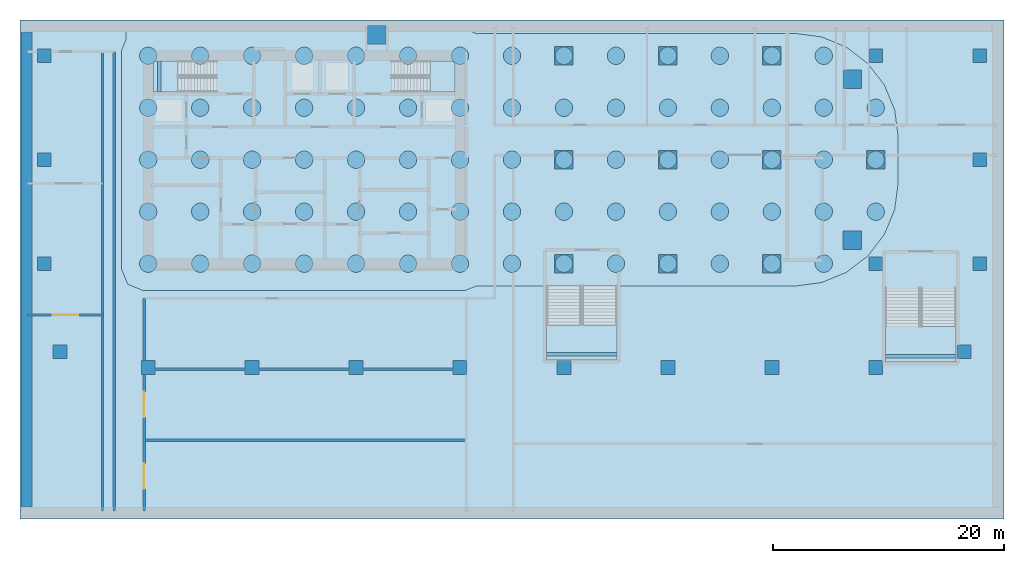
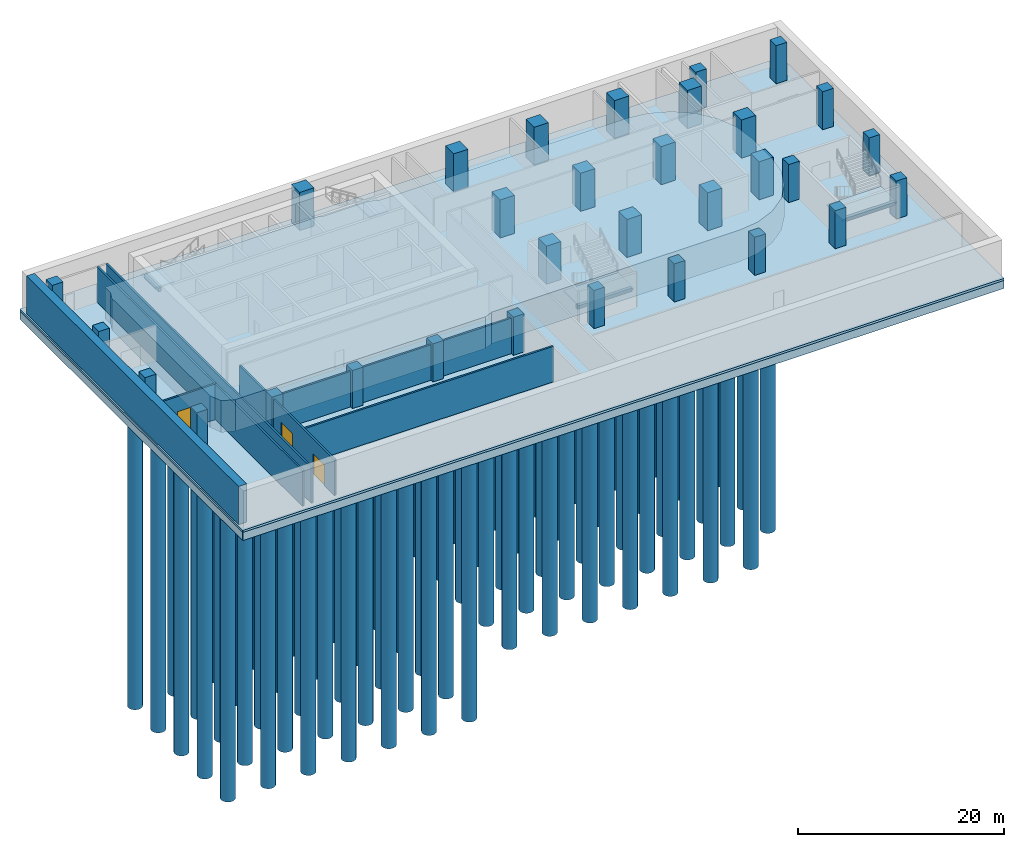
# One storey, part 1 of 13: 73 piles, 31 columns, 7 walls, 5 slabs, 3 beams, 3 doors, 2 footings, 3 openings, 4 elements without a shape of their own.
"""IFC4 building model written with IfcOpenShell, lengths in metres."""

from ifc_helpers import new_model, si_unit, direction, frame, frame_2d, origin, origin_2d, place, context, subcontext, project, spatial, polyline, rectangle, circle, outline, extrude, material, layer, layer_set, material_profile, profile_set, type_object, element, fill, aggregate, save


model = new_model("IFC4")

# Units and contexts
model_context = context("Model", 3, precision=1e-05, world=origin(), true_north=direction((0.0, 1.0)))
body_context = subcontext(model_context, "Body", "Model", "MODEL_VIEW")
ifc_project = project(units=[si_unit("LENGTHUNIT", "METRE"), si_unit("AREAUNIT", "SQUARE_METRE"), si_unit("VOLUMEUNIT", "CUBIC_METRE"), si_unit("PLANEANGLEUNIT", "RADIAN"), si_unit("MASSUNIT", "GRAM", prefix="KILO")], contexts=[model_context])

# Site, building, storey
site_placement = place(None, origin())
site = spatial("IfcSite", under=ifc_project, at=site_placement, CompositionType="ELEMENT")
building_placement = place(site_placement, origin())
building = spatial("IfcBuilding", under=site, at=building_placement, Name="Ogive Portal Towers", CompositionType="ELEMENT")
storey_placement = place(building_placement, frame((0.0, 0.0, -9.0)))
storey = spatial("IfcBuildingStorey", under=building, at=storey_placement, Name="B2", CompositionType="ELEMENT", Elevation=-9.0)

# Piles
ifc_material_1 = material(Name="Concrete C40/50", Category="concrete")
ifc_material_profile_1 = material_profile(ifc_material_1, circle(Radius=0.75, at=origin_2d()), Name="PILE D1500")
ifc_profile_set_1 = profile_set([ifc_material_profile_1], Name="Concrete C40/50")
pile_type = type_object("IfcPileType", Name="PILE D1500", PredefinedType="BORED", material=ifc_profile_set_1)
for number, where, z_axis, x_axis, name in (
    (1, (31.5, 21.5, -3.89990234375), (0.0, 0.0, -1.0), (1.0, 0.0, 0.0), "Bored pile A1001"),
    (2, (36.0, 21.5, -3.89990234375), (0.0, 0.0, -1.0), (1.0, 0.0, 0.0), "Bored pile A1002"),
    (3, (40.5, 21.5, -3.89990234375), (0.0, 0.0, -1.0), (1.0, 0.0, 0.0), "Bored pile A1003"),
    (4, (45.0, 21.5, -3.89990234375), (0.0, 0.0, -1.0), (1.0, 0.0, 0.0), "Bored pile A1004"),
    (5, (49.5, 21.5, -3.89990234375), (0.0, 0.0, -1.0), (1.0, 0.0, 0.0), "Bored pile A1005"),
    (6, (54.0, 21.5, -3.89990234375), (0.0, 0.0, -1.0), (1.0, 0.0, 0.0), "Bored pile A1006"),
    (7, (58.5, 21.5, -3.89990234375), (0.0, 0.0, -1.0), (1.0, 0.0, 0.0), "Bored pile A1007"),
):
    element("IfcPile", number, at=place(storey_placement, frame(where, z_axis=z_axis, x_axis=x_axis)), inside=storey, type_object=pile_type, Name=name, PredefinedType="BORED", context=body_context, shape_type="SweptSolid", body=[
        extrude(circle(Radius=0.75, at=origin_2d()), origin(), (0.0, 0.0, 1.0), 45.0),
    ])
for number, where, z_axis, x_axis, name in (
    (8, (63.0, 21.5, -3.89990234375), (0.0, 0.0, -1.0), (1.0, 0.0, 0.0), "Bored pile A1008"),
    (9, (67.5, 21.5, -3.89990234375), (0.0, 0.0, -1.0), (1.0, 0.0, 0.0), "Bored pile A1009"),
    (10, (72.0, 21.5, -3.89990234375), (0.0, 0.0, -1.0), (1.0, 0.0, 0.0), "Bored pile A1010"),
    (11, (76.5, 21.5, -3.89990234375), (0.0, 0.0, -1.0), (1.0, 0.0, 0.0), "Bored pile A1011"),
    (12, (81.0, 21.5, -3.89990234375), (0.0, 0.0, -1.0), (1.0, 0.0, 0.0), "Bored pile A1012"),
    (13, (85.5, 21.5, -3.89990234375), (0.0, 0.0, -1.0), (1.0, 0.0, 0.0), "Bored pile A1013"),
    (14, (90.0, 21.5, -3.89990234375), (0.0, 0.0, -1.0), (1.0, 0.0, 0.0), "Bored pile A1014"),
):
    element("IfcPile", number, at=place(storey_placement, frame(where, z_axis=z_axis, x_axis=x_axis)), inside=storey, type_object=pile_type, Name=name, PredefinedType="BORED", context=body_context, shape_type="SweptSolid", body=[
        extrude(circle(Radius=0.75, at=origin_2d()), origin(), (0.0, 0.0, 1.0), 38.0),
    ])
for number, where, z_axis, x_axis, name in (
    (15, (31.5, 26.0, -3.89990234375), (0.0, 0.0, -1.0), (1.0, 0.0, 0.0), "Bored pile A1015"),
    (16, (36.0, 26.0, -3.89990234375), (0.0, 0.0, -1.0), (1.0, 0.0, 0.0), "Bored pile A1016"),
    (17, (40.5, 26.0, -3.89990234375), (0.0, 0.0, -1.0), (1.0, 0.0, 0.0), "Bored pile A1017"),
    (18, (45.0, 26.0, -3.89990234375), (0.0, 0.0, -1.0), (1.0, 0.0, 0.0), "Bored pile A1018"),
    (19, (49.5, 26.0, -3.89990234375), (0.0, 0.0, -1.0), (1.0, 0.0, 0.0), "Bored pile A1019"),
    (20, (54.0, 26.0, -3.89990234375), (0.0, 0.0, -1.0), (1.0, 0.0, 0.0), "Bored pile A1020"),
    (21, (58.5, 26.0, -3.89990234375), (0.0, 0.0, -1.0), (1.0, 0.0, 0.0), "Bored pile A1021"),
):
    element("IfcPile", number, at=place(storey_placement, frame(where, z_axis=z_axis, x_axis=x_axis)), inside=storey, type_object=pile_type, Name=name, PredefinedType="BORED", context=body_context, shape_type="SweptSolid", body=[
        extrude(circle(Radius=0.75, at=origin_2d()), origin(), (0.0, 0.0, 1.0), 45.0),
    ])
for number, where, z_axis, x_axis, name in (
    (22, (63.0, 26.0, -3.89990234375), (0.0, 0.0, -1.0), (1.0, 0.0, 0.0), "Bored pile A1022"),
    (23, (67.5, 26.0, -3.89990234375), (0.0, 0.0, -1.0), (1.0, 0.0, 0.0), "Bored pile A1023"),
    (24, (72.0, 26.0, -3.89990234375), (0.0, 0.0, -1.0), (1.0, 0.0, 0.0), "Bored pile A1024"),
    (25, (76.5, 26.0, -3.89990234375), (0.0, 0.0, -1.0), (1.0, 0.0, 0.0), "Bored pile A1025"),
    (26, (81.0, 26.0, -3.89990234375), (0.0, 0.0, -1.0), (1.0, 0.0, 0.0), "Bored pile A1026"),
    (27, (85.5, 26.0, -3.89990234375), (0.0, 0.0, -1.0), (1.0, 0.0, 0.0), "Bored pile A1027"),
    (28, (90.0, 26.0, -3.89990234375), (0.0, 0.0, -1.0), (1.0, 0.0, 0.0), "Bored pile A1028"),
    (29, (94.5, 26.0, -3.89990234375), (0.0, 0.0, -1.0), (1.0, 0.0, 0.0), "Bored pile A1029"),
):
    element("IfcPile", number, at=place(storey_placement, frame(where, z_axis=z_axis, x_axis=x_axis)), inside=storey, type_object=pile_type, Name=name, PredefinedType="BORED", context=body_context, shape_type="SweptSolid", body=[
        extrude(circle(Radius=0.75, at=origin_2d()), origin(), (0.0, 0.0, 1.0), 38.0),
    ])
for number, where, z_axis, x_axis, name in (
    (30, (31.5, 30.5, -3.89990234375), (0.0, 0.0, -1.0), (1.0, 0.0, 0.0), "Bored pile A1030"),
    (31, (36.0, 30.5, -3.89990234375), (0.0, 0.0, -1.0), (1.0, 0.0, 0.0), "Bored pile A1031"),
    (32, (40.5, 30.5, -3.89990234375), (0.0, 0.0, -1.0), (1.0, 0.0, 0.0), "Bored pile A1032"),
    (33, (45.0, 30.5, -3.89990234375), (0.0, 0.0, -1.0), (1.0, 0.0, 0.0), "Bored pile A1033"),
    (34, (49.5, 30.5, -3.89990234375), (0.0, 0.0, -1.0), (1.0, 0.0, 0.0), "Bored pile A1034"),
    (35, (54.0, 30.5, -3.89990234375), (0.0, 0.0, -1.0), (1.0, 0.0, 0.0), "Bored pile A1035"),
    (36, (58.5, 30.5, -3.89990234375), (0.0, 0.0, -1.0), (1.0, 0.0, 0.0), "Bored pile A1036"),
):
    element("IfcPile", number, at=place(storey_placement, frame(where, z_axis=z_axis, x_axis=x_axis)), inside=storey, type_object=pile_type, Name=name, PredefinedType="BORED", context=body_context, shape_type="SweptSolid", body=[
        extrude(circle(Radius=0.75, at=origin_2d()), origin(), (0.0, 0.0, 1.0), 45.0),
    ])
for number, where, z_axis, x_axis, name in (
    (37, (63.0, 30.5, -3.89990234375), (0.0, 0.0, -1.0), (1.0, 0.0, 0.0), "Bored pile A1037"),
    (38, (67.5, 30.5, -3.89990234375), (0.0, 0.0, -1.0), (1.0, 0.0, 0.0), "Bored pile A1038"),
    (39, (72.0, 30.5, -3.89990234375), (0.0, 0.0, -1.0), (1.0, 0.0, 0.0), "Bored pile A1039"),
    (40, (76.5, 30.5, -3.89990234375), (0.0, 0.0, -1.0), (1.0, 0.0, 0.0), "Bored pile A1040"),
    (41, (81.0, 30.5, -3.89990234375), (0.0, 0.0, -1.0), (1.0, 0.0, 0.0), "Bored pile A1041"),
    (42, (85.5, 30.5, -3.89990234375), (0.0, 0.0, -1.0), (1.0, 0.0, 0.0), "Bored pile A1042"),
    (43, (90.0, 30.5, -3.89990234375), (0.0, 0.0, -1.0), (1.0, 0.0, 0.0), "Bored pile A1043"),
    (44, (94.5, 30.5, -3.89990234375), (0.0, 0.0, -1.0), (1.0, 0.0, 0.0), "Bored pile A1044"),
):
    element("IfcPile", number, at=place(storey_placement, frame(where, z_axis=z_axis, x_axis=x_axis)), inside=storey, type_object=pile_type, Name=name, PredefinedType="BORED", context=body_context, shape_type="SweptSolid", body=[
        extrude(circle(Radius=0.75, at=origin_2d()), origin(), (0.0, 0.0, 1.0), 38.0),
    ])
for number, where, z_axis, x_axis, name in (
    (45, (31.5, 35.0, -3.89990234375), (0.0, 0.0, -1.0), (1.0, 0.0, 0.0), "Bored pile A1045"),
    (46, (36.0, 35.0, -3.89990234375), (0.0, 0.0, -1.0), (1.0, 0.0, 0.0), "Bored pile A1046"),
    (47, (40.5, 35.0, -3.89990234375), (0.0, 0.0, -1.0), (1.0, 0.0, 0.0), "Bored pile A1047"),
    (48, (45.0, 35.0, -3.89990234375), (0.0, 0.0, -1.0), (1.0, 0.0, 0.0), "Bored pile A1048"),
    (49, (49.5, 35.0, -3.89990234375), (0.0, 0.0, -1.0), (1.0, 0.0, 0.0), "Bored pile A1049"),
    (50, (54.0, 35.0, -3.89990234375), (0.0, 0.0, -1.0), (1.0, 0.0, 0.0), "Bored pile A1050"),
    (51, (58.5, 35.0, -3.89990234375), (0.0, 0.0, -1.0), (1.0, 0.0, 0.0), "Bored pile A1051"),
):
    element("IfcPile", number, at=place(storey_placement, frame(where, z_axis=z_axis, x_axis=x_axis)), inside=storey, type_object=pile_type, Name=name, PredefinedType="BORED", context=body_context, shape_type="SweptSolid", body=[
        extrude(circle(Radius=0.75, at=origin_2d()), origin(), (0.0, 0.0, 1.0), 45.0),
    ])
for number, where, z_axis, x_axis, name in (
    (52, (63.0, 35.0, -3.89990234375), (0.0, 0.0, -1.0), (1.0, 0.0, 0.0), "Bored pile A1052"),
    (53, (67.5, 35.0, -3.89990234375), (0.0, 0.0, -1.0), (1.0, 0.0, 0.0), "Bored pile A1053"),
    (54, (72.0, 35.0, -3.89990234375), (0.0, 0.0, -1.0), (1.0, 0.0, 0.0), "Bored pile A1054"),
    (55, (76.5, 35.0, -3.89990234375), (0.0, 0.0, -1.0), (1.0, 0.0, 0.0), "Bored pile A1055"),
    (56, (81.0, 35.0, -3.89990234375), (0.0, 0.0, -1.0), (1.0, 0.0, 0.0), "Bored pile A1056"),
    (57, (85.5, 35.0, -3.89990234375), (0.0, 0.0, -1.0), (1.0, 0.0, 0.0), "Bored pile A1057"),
    (58, (90.0, 35.0, -3.89990234375), (0.0, 0.0, -1.0), (1.0, 0.0, 0.0), "Bored pile A1058"),
    (59, (94.5, 35.0, -3.89990234375), (0.0, 0.0, -1.0), (1.0, 0.0, 0.0), "Bored pile A1059"),
):
    element("IfcPile", number, at=place(storey_placement, frame(where, z_axis=z_axis, x_axis=x_axis)), inside=storey, type_object=pile_type, Name=name, PredefinedType="BORED", context=body_context, shape_type="SweptSolid", body=[
        extrude(circle(Radius=0.75, at=origin_2d()), origin(), (0.0, 0.0, 1.0), 38.0),
    ])
for number, where, z_axis, x_axis, name in (
    (60, (31.5, 39.5, -3.89990234375), (0.0, 0.0, -1.0), (1.0, 0.0, 0.0), "Bored pile A1060"),
    (61, (36.0, 39.5, -3.89990234375), (0.0, 0.0, -1.0), (1.0, 0.0, 0.0), "Bored pile A1061"),
    (62, (40.5, 39.5, -3.89990234375), (0.0, 0.0, -1.0), (1.0, 0.0, 0.0), "Bored pile A1062"),
    (63, (45.0, 39.5, -3.89990234375), (0.0, 0.0, -1.0), (1.0, 0.0, 0.0), "Bored pile A1063"),
    (64, (49.5, 39.5, -3.89990234375), (0.0, 0.0, -1.0), (1.0, 0.0, 0.0), "Bored pile A1064"),
    (65, (54.0, 39.5, -3.89990234375), (0.0, 0.0, -1.0), (1.0, 0.0, 0.0), "Bored pile A1065"),
    (66, (58.5, 39.5, -3.89990234375), (0.0, 0.0, -1.0), (1.0, 0.0, 0.0), "Bored pile A1066"),
):
    element("IfcPile", number, at=place(storey_placement, frame(where, z_axis=z_axis, x_axis=x_axis)), inside=storey, type_object=pile_type, Name=name, PredefinedType="BORED", context=body_context, shape_type="SweptSolid", body=[
        extrude(circle(Radius=0.75, at=origin_2d()), origin(), (0.0, 0.0, 1.0), 45.0),
    ])
for number, where, z_axis, x_axis, name in (
    (67, (63.0, 39.5, -3.89990234375), (0.0, 0.0, -1.0), (1.0, 0.0, 0.0), "Bored pile A1067"),
    (68, (67.5, 39.5, -3.89990234375), (0.0, 0.0, -1.0), (1.0, 0.0, 0.0), "Bored pile A1068"),
    (69, (72.0, 39.5, -3.89990234375), (0.0, 0.0, -1.0), (1.0, 0.0, 0.0), "Bored pile A1069"),
    (70, (76.5, 39.5, -3.89990234375), (0.0, 0.0, -1.0), (1.0, 0.0, 0.0), "Bored pile A1070"),
    (71, (81.0, 39.5, -3.89990234375), (0.0, 0.0, -1.0), (1.0, 0.0, 0.0), "Bored pile A1071"),
    (72, (85.5, 39.5, -3.89990234375), (0.0, 0.0, -1.0), (1.0, 0.0, 0.0), "Bored pile A1072"),
    (73, (90.0, 39.5, -3.89990234375), (0.0, 0.0, -1.0), (1.0, 0.0, 0.0), "Bored pile A1073"),
):
    element("IfcPile", number, at=place(storey_placement, frame(where, z_axis=z_axis, x_axis=x_axis)), inside=storey, type_object=pile_type, Name=name, PredefinedType="BORED", context=body_context, shape_type="SweptSolid", body=[
        extrude(circle(Radius=0.75, at=origin_2d()), origin(), (0.0, 0.0, 1.0), 38.0),
    ])

# Footings
footing_type_1 = type_object("IfcFootingType", Name="PILED RAFT 3750", PredefinedType="PILE_CAP", material=ifc_material_1)
footing_1_placement = place(storey_placement, frame((0.0, 0.0, -4.0)))
element("IfcFooting", 74, at=footing_1_placement, inside=storey, type_object=footing_type_1, Name="Tower A piled raft (station level)", PredefinedType="PILE_CAP", context=body_context, shape_type="SweptSolid", body=[
    extrude(outline(polyline([(29.199951171875, 21.001708984375), (29.727783203125, 19.727783203125), (31.001953125, 19.199951171875), (58.998046875, 19.199951171875), (59.90576171875, 19.574951171875), (87.597900390625, 19.574951171875), (89.813232421875, 19.86669921875), (91.968994140625, 20.759521484375), (93.81982421875, 22.1796875), (95.240478515625, 24.03125), (96.13330078125, 26.186767578125), (96.425048828125, 28.4013671875), (96.425048828125, 32.597900390625), (96.13330078125, 34.813232421875), (95.240478515625, 36.968994140625), (93.81982421875, 38.8203125), (91.96875, 40.240478515625), (89.813232421875, 41.13330078125), (87.5986328125, 41.425048828125), (59.90576171875, 41.425048828125), (58.998291015625, 41.800048828125), (53.939208984375, 41.800048828125), (53.544189453125, 42.0), (29.574951171875, 42.0), (29.57470703125, 40.90380859375), (29.199951171875, 39.998046875), (29.199951171875, 21.001708984375)])), origin(), (0.0, 0.0, 1.0), 3.75),
])
footing_type_2 = type_object("IfcFootingType", Name="STATION MAT 950", PredefinedType="PAD_FOOTING", material=ifc_material_1)
footing_2_placement = place(storey_placement, frame((0.0, 0.0, -1.199951171875)))
element("IfcFooting", 75, at=footing_2_placement, inside=storey, type_object=footing_type_2, Name="Station mat", PredefinedType="PAD_FOOTING", context=body_context, shape_type="SweptSolid", body=[
    extrude(outline(polyline([(20.449951171875, -0.60009765625), (105.550048828125, -0.60009765625), (105.573486328125, -0.593994140625), (105.593994140625, -0.573486328125), (105.60009765625, -0.550048828125), (105.60009765625, 42.550048828125), (105.593994140625, 42.573486328125), (105.573486328125, 42.593994140625), (105.550048828125, 42.60009765625), (20.449951171875, 42.60009765625), (20.426513671875, 42.593994140625), (20.408447265625, 42.577880859375), (20.39990234375, 42.550048828125), (20.39990234375, -0.550048828125), (20.41455078125, -0.58544921875), (20.449951171875, -0.60009765625)]), holes=[polyline([(29.2001953125, 21.0009765625), (29.199951171875, 39.99755859375), (29.573974609375, 40.90380859375), (29.5751953125, 42.0), (53.54345703125, 42.0), (53.92626953125, 41.805419921875), (53.948974609375, 41.800048828125), (58.997802734375, 41.800048828125), (59.91357421875, 41.425048828125), (87.599609375, 41.4248046875), (89.813232421875, 41.13330078125), (91.96826171875, 40.24072265625), (93.8193359375, 38.820556640625), (95.240478515625, 36.968994140625), (96.133544921875, 34.8125), (96.425048828125, 32.598388671875), (96.425048828125, 28.401611328125), (96.13330078125, 26.186767578125), (95.24072265625, 24.03173828125), (93.819580078125, 22.179443359375), (91.968994140625, 20.759521484375), (89.8125, 19.866455078125), (87.59716796875, 19.574951171875), (59.91357421875, 19.574951171875), (58.99755859375, 19.199951171875), (31.00244140625, 19.199951171875), (29.727783203125, 19.727783203125), (29.2001953125, 21.0009765625)])]), origin(), (0.0, 0.0, 1.0), 0.949951171875),
])

# Columns
ifc_material_2 = material(Name="Concrete C50/60", Category="concrete")
ifc_material_profile_2 = material_profile(ifc_material_2, rectangle(XDim=1.199951171875, YDim=1.199951171875, at=origin_2d()), Name="RC 1200x1200")
ifc_profile_set_2 = profile_set([ifc_material_profile_2], Name="Concrete C50/60")
column_type_1 = type_object("IfcColumnType", Name="COLUMN RC 1200x1200", PredefinedType="COLUMN", material=ifc_profile_set_2)
for number, where, z_axis, x_axis, name in (
    (76, (31.5, 12.5, 0.0), (0.0, 0.0, 1.0), (1.0, 0.0, 0.0), "Column 1/Z B2"),
    (77, (40.5, 12.5, 0.0), (0.0, 0.0, 1.0), (1.0, 0.0, 0.0), "Column 2/Z B2"),
    (78, (49.5, 12.5, 0.0), (0.0, 0.0, 1.0), (1.0, 0.0, 0.0), "Column 3/Z B2"),
    (79, (58.5, 12.5, 0.0), (0.0, 0.0, 1.0), (1.0, 0.0, 0.0), "Column 4/Z B2"),
    (80, (67.5, 12.5, 0.0), (0.0, 0.0, 1.0), (1.0, 0.0, 0.0), "Column 5/Z B2"),
    (81, (76.5, 12.5, 0.0), (0.0, 0.0, 1.0), (1.0, 0.0, 0.0), "Column 6/Z B2"),
    (82, (85.5, 12.5, 0.0), (0.0, 0.0, 1.0), (1.0, 0.0, 0.0), "Column 7/Z B2"),
    (83, (94.5, 12.5, 0.0), (0.0, 0.0, 1.0), (1.0, 0.0, 0.0), "Column 8/Z B2"),
    (84, (23.8701171875, 13.8701171875, 0.0), (0.0, 0.0, 1.0), (1.0, 0.0, 0.0), "Column B2"),
    (85, (102.1298828125, 13.8701171875, 0.0), (0.0, 0.0, 1.0), (1.0, 0.0, 0.0), "Column B2"),
    (86, (22.5, 21.5, 0.0), (0.0, 0.0, 1.0), (1.0, 0.0, 0.0), "Column 0/A B2"),
    (87, (94.5, 21.5, 0.0), (0.0, 0.0, 1.0), (1.0, 0.0, 0.0), "Column 8/A B2"),
    (88, (103.5, 21.5, 0.0), (0.0, 0.0, 1.0), (1.0, 0.0, 0.0), "Column 9/A B2"),
    (89, (22.5, 30.5, 0.0), (0.0, 0.0, 1.0), (1.0, 0.0, 0.0), "Column 0/B B2"),
    (90, (103.5, 30.5, 0.0), (0.0, 0.0, 1.0), (1.0, 0.0, 0.0), "Column 9/B B2"),
    (91, (22.5, 39.5, 0.0), (0.0, 0.0, 1.0), (1.0, 0.0, 0.0), "Column 0/C B2"),
    (92, (94.5, 39.5, 0.0), (0.0, 0.0, 1.0), (1.0, 0.0, 0.0), "Column 8/C B2"),
    (93, (103.5, 39.5, 0.0), (0.0, 0.0, 1.0), (1.0, 0.0, 0.0), "Column 9/C B2"),
):
    element("IfcColumn", number, at=place(storey_placement, frame(where, z_axis=z_axis, x_axis=x_axis)), inside=storey, type_object=column_type_1, Name=name, PredefinedType="COLUMN", context=body_context, shape_type="SweptSolid", body=[
        extrude(rectangle(XDim=1.199951171875, YDim=1.199951171875, at=origin_2d()), origin(), (0.0, 0.0, 1.0), 4.5),
    ])
ifc_material_3 = material(Name="Concrete C60/75", Category="concrete")
ifc_material_profile_3 = material_profile(ifc_material_3, rectangle(XDim=1.60009765625, YDim=1.60009765625, at=origin_2d()), Name="RC 1600x1600")
ifc_profile_set_3 = profile_set([ifc_material_profile_3], Name="Concrete C60/75")
column_type_2 = type_object("IfcColumnType", Name="COLUMN RC 1600x1600", PredefinedType="COLUMN", material=ifc_profile_set_3)
for number, where, z_axis, x_axis, name in (
    (94, (67.5, 21.5, 0.0), (0.0, 0.0, 1.0), (1.0, 0.0, 0.0), "Column 5/A B2"),
    (95, (76.5, 21.5, 0.0), (0.0, 0.0, 1.0), (1.0, 0.0, 0.0), "Column 6/A B2"),
    (96, (85.5, 21.5, 0.0), (0.0, 0.0, 1.0), (1.0, 0.0, 0.0), "Column 7/A B2"),
    (97, (67.5, 30.5, 0.0), (0.0, 0.0, 1.0), (1.0, 0.0, 0.0), "Column 5/B B2"),
    (98, (76.5, 30.5, 0.0), (0.0, 0.0, 1.0), (1.0, 0.0, 0.0), "Column 6/B B2"),
    (99, (85.5, 30.5, 0.0), (0.0, 0.0, 1.0), (1.0, 0.0, 0.0), "Column 7/B B2"),
    (100, (94.5, 30.5, 0.0), (0.0, 0.0, 1.0), (1.0, 0.0, 0.0), "Column 8/B B2"),
    (101, (67.5, 39.5, 0.0), (0.0, 0.0, 1.0), (1.0, 0.0, 0.0), "Column 5/C B2"),
    (102, (76.5, 39.5, 0.0), (0.0, 0.0, 1.0), (1.0, 0.0, 0.0), "Column 6/C B2"),
    (103, (85.5, 39.5, 0.0), (0.0, 0.0, 1.0), (1.0, 0.0, 0.0), "Column 7/C B2"),
    (104, (51.31005859375, 41.31005859375, 0.0), (0.0, 0.0, 1.0), (1.0, 0.0, 0.0), "Column B2"),
    (105, (92.449951171875, 23.550048828125, 0.0), (0.0, 0.0, 1.0), (1.0, 0.0, 0.0), "Column B2"),
    (106, (92.449951171875, 37.449951171875, 0.0), (0.0, 0.0, 1.0), (1.0, 0.0, 0.0), "Column B2"),
):
    element("IfcColumn", number, at=place(storey_placement, frame(where, z_axis=z_axis, x_axis=x_axis)), inside=storey, type_object=column_type_2, Name=name, PredefinedType="COLUMN", context=body_context, shape_type="SweptSolid", body=[
        extrude(rectangle(XDim=1.60009765625, YDim=1.60009765625, at=origin_2d()), origin(), (0.0, 0.0, 1.0), 4.5),
    ])

# Beams
ifc_material_profile_4 = material_profile(ifc_material_1, rectangle(XDim=0.300048828125, YDim=0.39990234375, at=origin_2d()), Name="RC 300x400")
ifc_profile_set_4 = profile_set([ifc_material_profile_4], Name="Concrete C40/50")
beam_type = type_object("IfcBeamType", Name="BEAM RC 300x400", PredefinedType="BEAM", material=ifc_profile_set_4)
beam_1_placement = place(storey_placement, frame((32.449951171875, 36.35009765625, 1.85009765625), z_axis=(0.0, 1.0, 0.0), x_axis=(-1.0, 0.0, 0.0)))
element("IfcBeam", 107, at=beam_1_placement, inside=storey, type_object=beam_type, Name="Landing beam B2", PredefinedType="BEAM", context=body_context, shape_type="SweptSolid", body=[
    extrude(rectangle(XDim=0.300048828125, YDim=0.39990234375, at=origin_2d()), origin(), (0.0, 0.0, 1.0), 2.699951171875),
])
beam_2_placement = place(storey_placement, frame((66.0, 13.64990234375, 1.85009765625), z_axis=(1.0, 0.0, 0.0), x_axis=(0.0, 1.0, 0.0)))
element("IfcBeam", 108, at=beam_2_placement, inside=storey, type_object=beam_type, Name="Landing beam B2", PredefinedType="BEAM", context=body_context, shape_type="SweptSolid", body=[
    extrude(rectangle(XDim=0.300048828125, YDim=0.39990234375, at=origin_2d()), origin(), (0.0, 0.0, 1.0), 6.10009765625),
])
beam_3_placement = place(storey_placement, frame((95.35009765625, 13.5, 1.85009765625), z_axis=(1.0, 0.0, 0.0), x_axis=(0.0, 1.0, 0.0)))
element("IfcBeam", 109, at=beam_3_placement, inside=storey, type_object=beam_type, Name="Landing beam B2", PredefinedType="BEAM", context=body_context, shape_type="SweptSolid", body=[
    extrude(rectangle(XDim=0.300048828125, YDim=0.39990234375, at=origin_2d()), origin(), (0.0, 0.0, 1.0), 6.099853515625),
])

# Stair, slab
stair_type = type_object("IfcStairType", Name="INT-STAIR", PredefinedType="HALF_TURN_STAIR", material=ifc_material_1)
stair_1_placement = place(storey_placement, origin())
stair_1 = element("IfcStair", 110, at=stair_1_placement, inside=storey, type_object=stair_type, Name="B2 Exit Stair ST-A1", PredefinedType="HALF_TURN_STAIR")
ifc_layer_1 = layer(ifc_material_1, 0.199951171875)
ifc_layer_set_1 = layer_set([ifc_layer_1], Name="INT-LANDING")
slab_type_1 = type_object("IfcSlabType", Name="INT-LANDING", PredefinedType="LANDING", material=ifc_layer_set_1)
slab_1_placement = place(storey_placement, frame((0.0, 0.0, 2.050048828125)))
slab_1 = element("IfcSlab", 111, at=slab_1_placement, type_object=slab_type_1, Name="ST-A1 landing 1", PredefinedType="LANDING", context=body_context, shape_type="SweptSolid", body=[
    extrude(outline(polyline([(34.090087890625, 39.050048828125), (31.949951171875, 39.050048828125), (31.949951171875, 36.35009765625), (34.090087890625, 36.35009765625), (34.090087890625, 39.050048828125)])), origin(), (0.0, 0.0, 1.0), 0.199951171875),
])
aggregate(stair_1, [slab_1])

stair_2_placement = place(storey_placement, origin())
stair_2 = element("IfcStair", 112, at=stair_2_placement, inside=storey, type_object=stair_type, Name="B2 Exit Stair ST-A2", PredefinedType="HALF_TURN_STAIR")
slab_2_placement = place(storey_placement, frame((0.0, 0.0, 2.050048828125)))
slab_2 = element("IfcSlab", 113, at=slab_2_placement, type_object=slab_type_1, Name="ST-A2 landing 1", PredefinedType="LANDING", context=body_context, shape_type="SweptSolid", body=[
    extrude(outline(polyline([(55.909912109375, 36.35009765625), (58.050048828125, 36.35009765625), (58.050048828125, 39.050048828125), (55.909912109375, 39.050048828125), (55.909912109375, 36.35009765625)])), origin(), (0.0, 0.0, 1.0), 0.199951171875),
])
aggregate(stair_2, [slab_2])

stair_3_placement = place(storey_placement, origin())
stair_3 = element("IfcStair", 114, at=stair_3_placement, inside=storey, type_object=stair_type, Name="B2 Exit Stair ST-S1", PredefinedType="HALF_TURN_STAIR")
slab_3_placement = place(storey_placement, frame((0.0, 0.0, 2.050048828125)))
slab_3 = element("IfcSlab", 115, at=slab_3_placement, type_object=slab_type_1, Name="ST-S1 landing 1", PredefinedType="LANDING", context=body_context, shape_type="SweptSolid", body=[
    extrude(outline(polyline([(66.0, 16.18994140625), (66.0, 13.14990234375), (72.10009765625, 13.14990234375), (72.10009765625, 16.18994140625), (66.0, 16.18994140625)])), origin(), (0.0, 0.0, 1.0), 0.199951171875),
])
aggregate(stair_3, [slab_3])

stair_4_placement = place(storey_placement, origin())
stair_4 = element("IfcStair", 116, at=stair_4_placement, inside=storey, type_object=stair_type, Name="B2 Exit Stair ST-S2", PredefinedType="HALF_TURN_STAIR")
slab_4_placement = place(storey_placement, frame((0.0, 0.0, 2.050048828125)))
slab_4 = element("IfcSlab", 117, at=slab_4_placement, type_object=slab_type_1, Name="ST-S2 landing 1", PredefinedType="LANDING", context=body_context, shape_type="SweptSolid", body=[
    extrude(outline(polyline([(95.35009765625, 16.0400390625), (95.35009765625, 13.0), (101.449951171875, 13.0), (101.449951171875, 16.0400390625), (95.35009765625, 16.0400390625)])), origin(), (0.0, 0.0, 1.0), 0.199951171875),
])
aggregate(stair_4, [slab_4])

# Slab
ifc_material_4 = material(Name="Concrete C45/55", Category="concrete")
ifc_layer_2 = layer(ifc_material_4, 0.25)
ifc_layer_set_2 = layer_set([ifc_layer_2], Name="SLAB ON GRADE 250")
slab_type_2 = type_object("IfcSlabType", Name="SLAB ON GRADE 250", PredefinedType="BASESLAB", material=ifc_layer_set_2)
slab_5_placement = place(storey_placement, frame((0.0, 0.0, -0.25)))
element("IfcSlab", 118, at=slab_5_placement, inside=storey, type_object=slab_type_2, Name="Floor slab B2", PredefinedType="BASESLAB", context=body_context, shape_type="SweptSolid", body=[
    extrude(outline(polyline([(20.445068359375, -0.599853515625), (105.550048828125, -0.60009765625), (105.573486328125, -0.593994140625), (105.593994140625, -0.573486328125), (105.60009765625, -0.550048828125), (105.60009765625, 42.550048828125), (105.593994140625, 42.573486328125), (105.573486328125, 42.593994140625), (105.550048828125, 42.60009765625), (20.449951171875, 42.60009765625), (20.426513671875, 42.593994140625), (20.408447265625, 42.577880859375), (20.39990234375, 42.550048828125), (20.39990234375, -0.550048828125), (20.41455078125, -0.58544921875), (20.445068359375, -0.599853515625)])), origin(), (0.0, 0.0, 1.0), 0.25),
])

# Walls
ifc_layer_3 = layer(ifc_material_1, 0.89990234375)
ifc_layer_set_3 = layer_set([ifc_layer_3], Name="STATION WALL 900 C40")
wall_type_1 = type_object("IfcWallType", Name="STATION WALL 900 C40", PredefinedType="SOLIDWALL", material=ifc_layer_set_3)
wall_1_placement = place(storey_placement, frame((21.0, 41.550048828125, 0.0), z_axis=(0.0, 0.0, 1.0), x_axis=(0.0, -1.0, 0.0)))
element("IfcWall", 119, at=wall_1_placement, inside=storey, type_object=wall_type_1, Name="Station wall B2", PredefinedType="SOLIDWALL", context=body_context, shape_type="SweptSolid", body=[
    extrude(rectangle(XDim=41.10009765625, YDim=0.89990234375, at=frame_2d((20.550048828125, 0.0))), origin(), (0.0, 0.0, 1.0), 4.5),
])
ifc_material_5 = material(Name="Gypsum board partition on steel studs", Category="steel")
ifc_layer_4 = layer(ifc_material_5, 0.199951171875)
ifc_layer_set_4 = layer_set([ifc_layer_4], Name="WT-PART-200-EI 60")
wall_type_2 = type_object("IfcWallType", Name="WT-PART-200-EI 60", PredefinedType="PARTITIONING", material=ifc_layer_set_4)
wall_2_placement = place(storey_placement, frame((31.14990234375, 12.35009765625, 0.0), z_axis=(0.0, 0.0, 1.0), x_axis=(1.0, 0.0, 0.0)))
element("IfcWall", 120, at=wall_2_placement, inside=storey, type_object=wall_type_2, Name="Wall B2:w001", PredefinedType="PARTITIONING", context=body_context, shape_type="SweptSolid", body=[
    extrude(rectangle(XDim=27.900146484375, YDim=0.199951171875, at=frame_2d((13.9501953125, 0.0))), origin(), (0.0, 0.0, 1.0), 4.199951171875),
])

# Wall, opening, door
wall_3_placement = place(storey_placement, frame((21.070068359375, 17.050048828125, 0.0), z_axis=(0.0, 0.0, 1.0), x_axis=(1.0, 0.0, 0.0)))
wall_3 = element("IfcWall", 121, at=wall_3_placement, inside=storey, type_object=wall_type_2, Name="Wall B2:w004", PredefinedType="PARTITIONING", context=body_context, shape_type="SweptSolid", body=[
    extrude(rectangle(XDim=6.47998046875, YDim=0.199951171875, at=frame_2d((3.239990234375, 0.0))), origin(), (0.0, 0.0, 1.0), 4.199951171875),
])
opening_1_placement = place(wall_3_placement, frame((2.179931640625, 0.0, 0.0)))
opening_1 = element("IfcOpeningElement", 122, at=opening_1_placement, cuts=wall_3, Name="Opening PB2-016", PredefinedType="OPENING", context=body_context, shape_type="SweptSolid", body=[
    extrude(rectangle(XDim=2.199951171875, YDim=2.39990234375, at=frame_2d((1.10009765625, 1.199951171875))), frame((0.0, 0.10986328125, 0.0), z_axis=(0.0, -1.0, 0.0), x_axis=(1.0, 0.0, 0.0)), (0.0, 0.0, 1.0), 0.219970703125),
])
ifc_material_6 = material(Name="Steel fire door", Category="steel")
door_type = type_object("IfcDoorType", Name="DT-PLANT-2200x2400-FD60S", OperationType="SINGLE_SWING_LEFT", PredefinedType="DOOR", material=ifc_material_6)
door_1_placement = place(opening_1_placement, origin())
door_1 = element("IfcDoor", 123, at=door_1_placement, inside=storey, type_object=door_type, Name="Door PB2-016", OperationType="SINGLE_SWING_RIGHT", OverallHeight=2.39990234375, OverallWidth=2.199951171875, PredefinedType="DOOR", context=body_context, shape_type="SweptSolid", body=[
    extrude(rectangle(XDim=2.199951171875, YDim=2.39990234375, at=frame_2d((1.10009765625, 1.199951171875))), frame((0.0, 0.02490234375, 0.0), z_axis=(0.0, -1.0, 0.0), x_axis=(1.0, 0.0, 0.0)), (0.0, 0.0, 1.0), 0.050048828125),
])
fill(opening_1, door_1)

# Walls
wall_4_placement = place(storey_placement, frame((31.14990234375, 6.199951171875, 0.0), z_axis=(0.0, 0.0, 1.0), x_axis=(1.0, 0.0, 0.0)))
element("IfcWall", 124, at=wall_4_placement, inside=storey, type_object=wall_type_2, Name="Wall B2:w016", PredefinedType="PARTITIONING", context=body_context, shape_type="SweptSolid", body=[
    extrude(rectangle(XDim=27.900146484375, YDim=0.199951171875, at=frame_2d((13.9501953125, 0.0))), origin(), (0.0, 0.0, 1.0), 4.199951171875),
])
for number, where, z_axis, x_axis, name in (
    (125, (27.550048828125, 0.070068359375, 0.0), (0.0, 0.0, 1.0), (0.0, 1.0, 0.0), "Wall B2:w018"),
    (126, (28.550048828125, 0.070068359375, 0.0), (0.0, 0.0, 1.0), (0.0, 1.0, 0.0), "Wall B2:w019"),
):
    element("IfcWall", number, at=place(storey_placement, frame(where, z_axis=z_axis, x_axis=x_axis)), inside=storey, type_object=wall_type_2, Name=name, PredefinedType="PARTITIONING", context=body_context, shape_type="SweptSolid", body=[
        extrude(rectangle(XDim=39.780029296875, YDim=0.199951171875, at=frame_2d((19.89013671875, 0.0))), origin(), (0.0, 0.0, 1.0), 4.199951171875),
    ])

# Wall, openings, doors
wall_5_placement = place(storey_placement, frame((31.14990234375, 0.070068359375, 0.0), z_axis=(0.0, 0.0, 1.0), x_axis=(0.0, 1.0, 0.0)))
wall_5 = element("IfcWall", 127, at=wall_5_placement, inside=storey, type_object=wall_type_2, Name="Wall B2:w020", PredefinedType="PARTITIONING", context=body_context, shape_type="SweptSolid", body=[
    extrude(rectangle(XDim=18.429931640625, YDim=0.199951171875, at=frame_2d((9.21484375, 0.0))), origin(), (0.0, 0.0, 1.0), 4.199951171875),
])
opening_2_placement = place(wall_5_placement, frame((1.929931640625, 0.0, 0.0)))
opening_2 = element("IfcOpeningElement", 128, at=opening_2_placement, cuts=wall_5, Name="Opening PB2-012", PredefinedType="OPENING", context=body_context, shape_type="SweptSolid", body=[
    extrude(rectangle(XDim=2.199951171875, YDim=2.39990234375, at=frame_2d((1.10009765625, 1.199951171875))), frame((0.0, 0.10986328125, 0.0), z_axis=(0.0, -1.0, 0.0), x_axis=(1.0, 0.0, 0.0)), (0.0, 0.0, 1.0), 0.219970703125),
])
opening_3_placement = place(wall_5_placement, frame((8.1298828125, 0.0, 0.0)))
opening_3 = element("IfcOpeningElement", 129, at=opening_3_placement, cuts=wall_5, Name="Opening PB2-013", PredefinedType="OPENING", context=body_context, shape_type="SweptSolid", body=[
    extrude(rectangle(XDim=2.199951171875, YDim=2.39990234375, at=frame_2d((1.10009765625, 1.199951171875))), frame((0.0, 0.10986328125, 0.0), z_axis=(0.0, -1.0, 0.0), x_axis=(1.0, 0.0, 0.0)), (0.0, 0.0, 1.0), 0.219970703125),
])
door_2_placement = place(opening_2_placement, origin())
door_2 = element("IfcDoor", 130, at=door_2_placement, inside=storey, type_object=door_type, Name="Door PB2-012", OperationType="SINGLE_SWING_RIGHT", OverallHeight=2.39990234375, OverallWidth=2.199951171875, PredefinedType="DOOR", context=body_context, shape_type="SweptSolid", body=[
    extrude(rectangle(XDim=2.199951171875, YDim=2.39990234375, at=frame_2d((1.10009765625, 1.199951171875))), frame((0.0, 0.02490234375, 0.0), z_axis=(0.0, -1.0, 0.0), x_axis=(1.0, 0.0, 0.0)), (0.0, 0.0, 1.0), 0.050048828125),
])
fill(opening_2, door_2)
door_3_placement = place(opening_3_placement, origin())
door_3 = element("IfcDoor", 131, at=door_3_placement, inside=storey, type_object=door_type, Name="Door PB2-013", OperationType="SINGLE_SWING_LEFT", OverallHeight=2.39990234375, OverallWidth=2.199951171875, PredefinedType="DOOR", context=body_context, shape_type="SweptSolid", body=[
    extrude(rectangle(XDim=2.199951171875, YDim=2.39990234375, at=frame_2d((1.10009765625, 1.199951171875))), frame((0.0, 0.02490234375, 0.0), z_axis=(0.0, -1.0, 0.0), x_axis=(1.0, 0.0, 0.0)), (0.0, 0.0, 1.0), 0.050048828125),
])
fill(opening_3, door_3)

save(model, "model.ifc")
